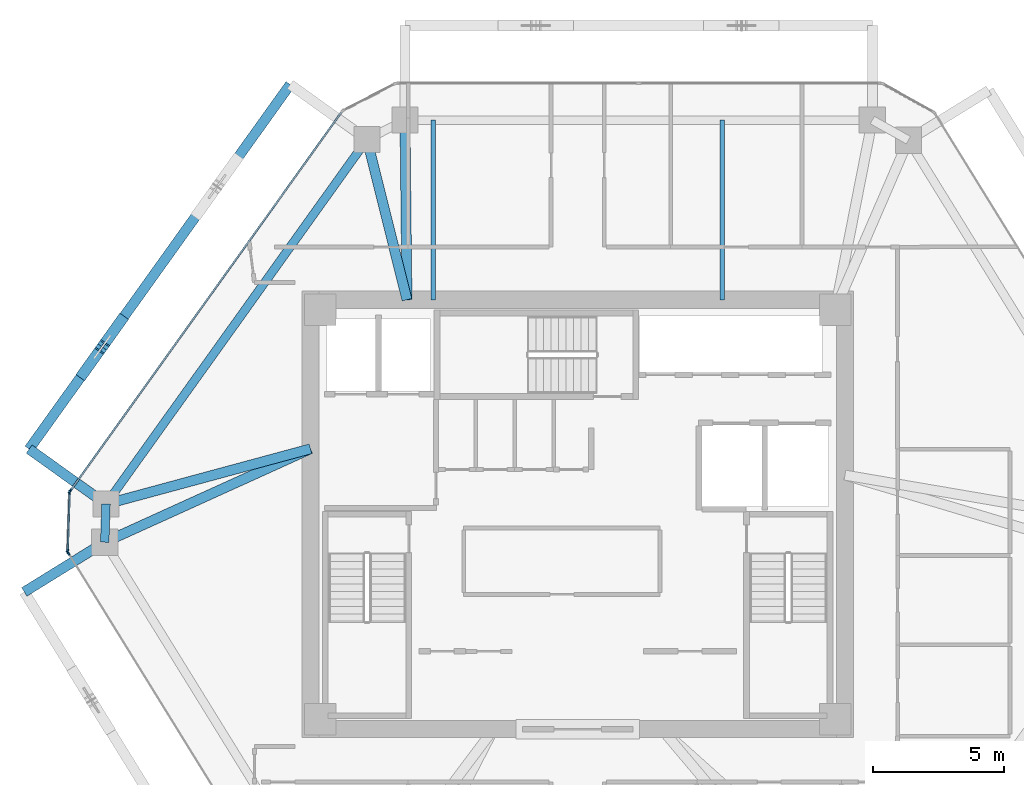
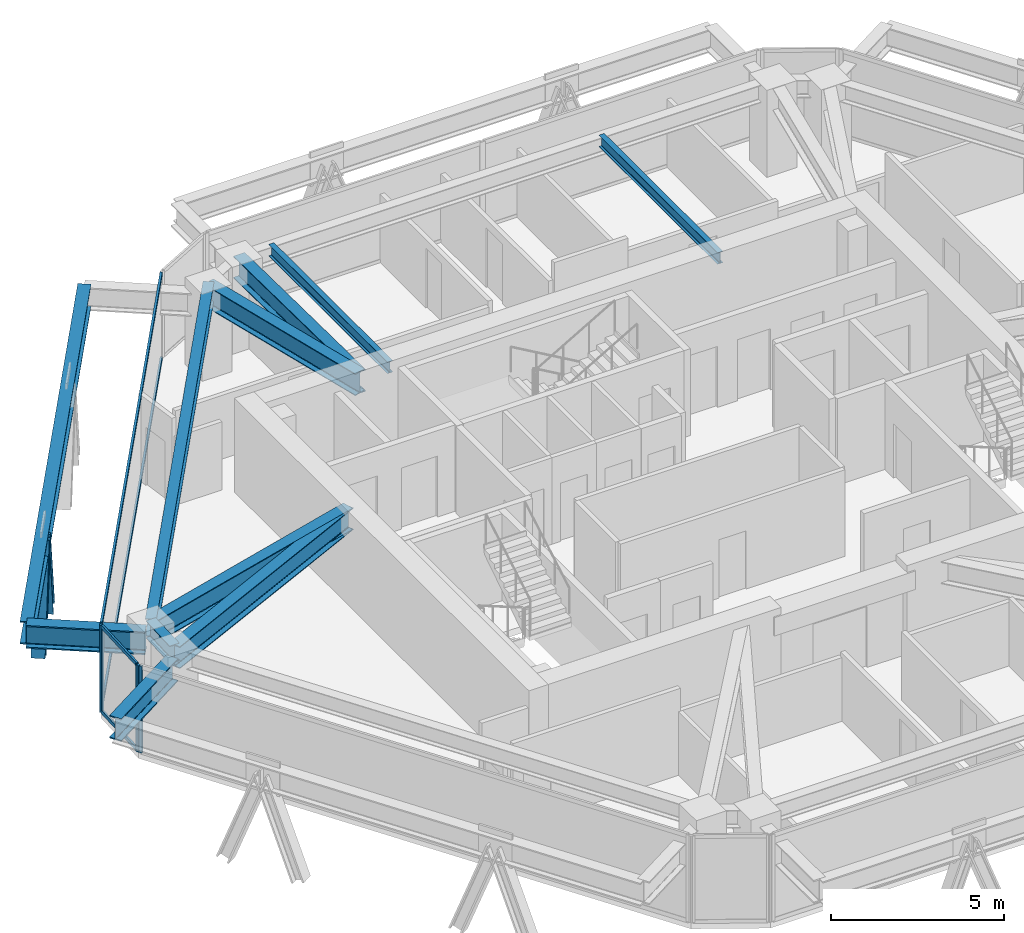
# One storey, part 4 of 14: 11 beams, 10 members, 3 elements without a shape of their own.
"""IFC4 building model written with IfcOpenShell, lengths in metres."""

from ifc_helpers import new_model, si_unit, direction, frame, origin, origin_2d, place, context, subcontext, project, spatial, rectangle, i_section, extrude, source, transform, mapped, material, layer, layer_set, material_profile, profile_set, type_object, type_shapes, element, aggregate, save


model = new_model("IFC4")

# Units and contexts
model_context = context("Model", 3, precision=1e-05, world=origin(), true_north=direction((0.0, 1.0)))
body_context = subcontext(model_context, "Body", "Model", "MODEL_VIEW")
ifc_project = project(units=[si_unit("LENGTHUNIT", "METRE"), si_unit("AREAUNIT", "SQUARE_METRE"), si_unit("VOLUMEUNIT", "CUBIC_METRE"), si_unit("PLANEANGLEUNIT", "RADIAN"), si_unit("MASSUNIT", "GRAM", prefix="KILO")], contexts=[model_context])

# Site, building, storey
site_placement = place(None, origin())
site = spatial("IfcSite", under=ifc_project, at=site_placement, CompositionType="ELEMENT")
building_placement = place(site_placement, origin())
building = spatial("IfcBuilding", under=site, at=building_placement, Name="Durnholm Broadcast Tower", CompositionType="ELEMENT")
storey_placement = place(building_placement, frame((0.0, 0.0, 180.39990234375)))
storey = spatial("IfcBuildingStorey", under=building, at=storey_placement, Name="L49", CompositionType="ELEMENT", Elevation=180.39990234375)

# Beams
ifc_material_1 = material(Name="Steel ASTM A992 Grade 50", Category="steel")
ifc_material_profile_1 = material_profile(ifc_material_1, i_section(OverallWidth=0.385009765625, OverallDepth=0.802978515625, WebThickness=0.023681640625, FlangeThickness=0.0419921875, FilletRadius=0.032958984375, at=origin_2d()), Name="W30X261")
ifc_profile_set_1 = profile_set([ifc_material_profile_1], Name="Steel ASTM A992 Grade 50")
beam_type_1 = type_object("IfcBeamType", Name="BM-EXO-TIE", PredefinedType="USERDEFINED", material=ifc_profile_set_1)
shared_shape_1 = source(origin(), body_context, "Body", "SweptSolid", [
    extrude(i_section(OverallWidth=0.385009765625, OverallDepth=0.802978515625, WebThickness=0.023681640625, FlangeThickness=0.0419921875, FilletRadius=0.032958984375, at=origin_2d()), origin(), (0.0, 0.0, 1.0), 3.4560546875),
])
beam_1_placement = place(storey_placement, frame((-18.131591796875, -1.13232421875, 2.30859375), z_axis=(-0.850662348375, -0.525712439512, 0.0), x_axis=(0.525712439512, -0.850662348375, 0.0)))
element("IfcBeam", 1, at=beam_1_placement, inside=storey, type_object=beam_type_1, Name="L49 exoskeleton stand-off tie bracket F6.1", ObjectType="GIRDER", PredefinedType="USERDEFINED", context=body_context, shape_type="MappedRepresentation", body=[
    mapped(shared_shape_1, transform((0.0, 0.0, 0.0), x_axis=(1.0, 0.0, 0.0), y_axis=(0.0, 1.0, 0.0), z_axis=(0.0, 0.0, 1.0), scale=1.0)),
])
shared_shape_2 = source(origin(), body_context, "Body", "SweptSolid", [
    extrude(i_section(OverallWidth=0.385009765625, OverallDepth=0.802978515625, WebThickness=0.023681640625, FlangeThickness=0.0419921875, FilletRadius=0.032958984375, at=origin_2d()), origin(), (0.0, 0.0, 1.0), 3.455810546875),
])
beam_2_placement = place(storey_placement, frame((-18.076904296875, 0.4794921875, 2.30859375), z_axis=(-0.813112485828, 0.582106592808, 0.0), x_axis=(-0.582106592808, -0.813112485828, 0.0)))
element("IfcBeam", 2, at=beam_2_placement, inside=storey, type_object=beam_type_1, Name="L49 exoskeleton stand-off tie bracket F5.2", ObjectType="GIRDER", PredefinedType="USERDEFINED", context=body_context, shape_type="MappedRepresentation", body=[
    mapped(shared_shape_2, transform((0.0, 0.0, 0.0), x_axis=(1.0, 0.0, 0.0), y_axis=(0.0, 1.0, 0.0), z_axis=(0.0, 0.0, 1.0), scale=1.0)),
])
ifc_material_profile_2 = material_profile(ifc_material_1, i_section(OverallWidth=0.3251953125, OverallDepth=0.6162109375, WebThickness=0.013916015625, FlangeThickness=0.021484375, FilletRadius=0.02783203125, at=origin_2d()), Name="W24X117")
ifc_profile_set_2 = profile_set([ifc_material_profile_2], Name="Steel ASTM A992 Grade 50")
beam_type_2 = type_object("IfcBeamType", Name="STL-SP-W24X117", PredefinedType="SPANDREL", material=ifc_profile_set_2)
shared_shape_3 = source(origin(), body_context, "Body", "SweptSolid", [
    extrude(i_section(OverallWidth=0.3251953125, OverallDepth=0.6162109375, WebThickness=0.013916015625, FlangeThickness=0.021484375, FilletRadius=0.02783203125, at=origin_2d()), origin(), (0.0, 0.0, 1.0), 1.452880859375),
])
beam_3_placement = place(storey_placement, frame((-18.009033203125, -1.056640625, 2.737060546875), z_axis=(0.03377359304, 0.999429509477, 0.0), x_axis=(-0.999429509477, 0.03377359304, 0.0)))
element("IfcBeam", 3, at=beam_3_placement, inside=storey, type_object=beam_type_2, Name="L49 perimeter spandrel girder 02", PredefinedType="SPANDREL", context=body_context, shape_type="MappedRepresentation", body=[
    mapped(shared_shape_3, transform((0.0, 0.0, 0.0), x_axis=(1.0, 0.0, 0.0), y_axis=(0.0, 1.0, 0.0), z_axis=(0.0, 0.0, 1.0), scale=1.0)),
])
shared_shape_4 = source(origin(), body_context, "Body", "SweptSolid", [
    extrude(i_section(OverallWidth=0.3251953125, OverallDepth=0.6162109375, WebThickness=0.013916015625, FlangeThickness=0.021484375, FilletRadius=0.02783203125, at=origin_2d()), origin(), (0.0, 0.0, 1.0), 17.07177734375),
])
type_shapes(beam_type_2, [shared_shape_3, shared_shape_4])
beam_4_placement = place(storey_placement, frame((-17.9599609375, 0.3955078125, 2.737060546875), z_axis=(0.582142843258, 0.813086532937, 0.0), x_axis=(-0.813086532937, 0.582142843258, 0.0)))
element("IfcBeam", 4, at=beam_4_placement, inside=storey, type_object=beam_type_2, Name="L49 perimeter spandrel girder 03", PredefinedType="SPANDREL", context=body_context, shape_type="MappedRepresentation", body=[
    mapped(shared_shape_4, transform((0.0, 0.0, 0.0), x_axis=(1.0, 0.0, 0.0), y_axis=(0.0, 1.0, 0.0), z_axis=(0.0, 0.0, 1.0), scale=1.0)),
])
shared_shape_5 = source(origin(), body_context, "Body", "SweptSolid", [
    extrude(i_section(OverallWidth=0.385009765625, OverallDepth=0.802978515625, WebThickness=0.023681640625, FlangeThickness=0.0419921875, FilletRadius=0.032958984375, at=origin_2d()), origin(), (0.0, 0.0, 1.0), 17.07177734375),
])
type_shapes(beam_type_1, [shared_shape_1, shared_shape_2, shared_shape_5])
beam_5_placement = place(storey_placement, frame((-10.948974609375, 16.3720703125, 2.30859375), z_axis=(-0.582133388739, -0.813093301974, 0.0), x_axis=(0.813093301974, -0.582133388739, 0.0)))
element("IfcBeam", 5, at=beam_5_placement, inside=storey, type_object=beam_type_1, Name="L49 exoskeleton collector spandrel F5", PredefinedType="SPANDREL", context=body_context, shape_type="MappedRepresentation", body=[
    mapped(shared_shape_5, transform((0.0, 0.0, 0.0), x_axis=(1.0, 0.0, 0.0), y_axis=(0.0, 1.0, 0.0), z_axis=(0.0, 0.0, 1.0), scale=1.0)),
])
ifc_material_profile_3 = material_profile(ifc_material_1, i_section(OverallWidth=0.380615234375, OverallDepth=0.773193359375, WebThickness=0.0166015625, FlangeThickness=0.027099609375, FilletRadius=0.032958984375, at=origin_2d()), Name="W30X173")
ifc_profile_set_3 = profile_set([ifc_material_profile_3], Name="Steel ASTM A992 Grade 50")
beam_type_3 = type_object("IfcBeamType", Name="STL-GR-W30X173", PredefinedType="USERDEFINED", material=ifc_profile_set_3)
shared_shape_6 = source(origin(), body_context, "Body", "SweptSolid", [
    extrude(i_section(OverallWidth=0.380615234375, OverallDepth=0.773193359375, WebThickness=0.0166015625, FlangeThickness=0.027099609375, FilletRadius=0.032958984375, at=origin_2d()), origin(), (0.0, 0.0, 1.0), 8.603515625),
])
beam_6_placement = place(storey_placement, frame((-10.175048828125, 2.5, 2.658447265625), z_axis=(-0.910552971728, -0.413392411248, 0.0), x_axis=(0.413392411248, -0.910552971728, 0.0)))
element("IfcBeam", 6, at=beam_6_placement, inside=storey, type_object=beam_type_3, Name="L49 radial primary floor girder 02", ObjectType="GIRDER", PredefinedType="USERDEFINED", context=body_context, shape_type="MappedRepresentation", body=[
    mapped(shared_shape_6, transform((0.0, 0.0, 0.0), x_axis=(1.0, 0.0, 0.0), y_axis=(0.0, 1.0, 0.0), z_axis=(0.0, 0.0, 1.0), scale=1.0)),
])
shared_shape_7 = source(origin(), body_context, "Body", "SweptSolid", [
    extrude(i_section(OverallWidth=0.380615234375, OverallDepth=0.773193359375, WebThickness=0.0166015625, FlangeThickness=0.027099609375, FilletRadius=0.032958984375, at=origin_2d()), origin(), (0.0, 0.0, 1.0), 8.064453125),
])
beam_7_placement = place(storey_placement, frame((-10.175048828125, 2.5, 2.658447265625), z_axis=(-0.96534896552, -0.260962401066, 0.0), x_axis=(0.260962401066, -0.96534896552, 0.0)))
element("IfcBeam", 7, at=beam_7_placement, inside=storey, type_object=beam_type_3, Name="L49 radial primary floor girder 03", ObjectType="GIRDER", PredefinedType="USERDEFINED", context=body_context, shape_type="MappedRepresentation", body=[
    mapped(shared_shape_7, transform((0.0, 0.0, 0.0), x_axis=(1.0, 0.0, 0.0), y_axis=(0.0, 1.0, 0.0), z_axis=(0.0, 0.0, 1.0), scale=1.0)),
])
shared_shape_8 = source(origin(), body_context, "Body", "SweptSolid", [
    extrude(i_section(OverallWidth=0.380615234375, OverallDepth=0.773193359375, WebThickness=0.0166015625, FlangeThickness=0.027099609375, FilletRadius=0.032958984375, at=origin_2d()), origin(), (0.0, 0.0, 1.0), 6.288330078125),
])
beam_8_placement = place(storey_placement, frame((-6.5, 8.175048828125, 2.658447265625), z_axis=(-0.241996604408, 0.970277096223, 0.0), x_axis=(-0.970277096223, -0.241996604408, 0.0)))
element("IfcBeam", 8, at=beam_8_placement, inside=storey, type_object=beam_type_3, Name="L49 radial primary floor girder 04", ObjectType="GIRDER", PredefinedType="USERDEFINED", context=body_context, shape_type="MappedRepresentation", body=[
    mapped(shared_shape_8, transform((0.0, 0.0, 0.0), x_axis=(1.0, 0.0, 0.0), y_axis=(0.0, 1.0, 0.0), z_axis=(0.0, 0.0, 1.0), scale=1.0)),
])
shared_shape_9 = source(origin(), body_context, "Body", "SweptSolid", [
    extrude(i_section(OverallWidth=0.380615234375, OverallDepth=0.773193359375, WebThickness=0.0166015625, FlangeThickness=0.027099609375, FilletRadius=0.032958984375, at=origin_2d()), origin(), (0.0, 0.0, 1.0), 6.843505859375),
])
type_shapes(beam_type_3, [shared_shape_6, shared_shape_7, shared_shape_8, shared_shape_9])
beam_9_placement = place(storey_placement, frame((-6.5, 8.175048828125, 2.658447265625), z_axis=(-0.011487343604, 0.999934018292, 0.0), x_axis=(-0.999934018292, -0.011487343604, 0.0)))
element("IfcBeam", 9, at=beam_9_placement, inside=storey, type_object=beam_type_3, Name="L49 radial primary floor girder 05", ObjectType="GIRDER", PredefinedType="USERDEFINED", context=body_context, shape_type="MappedRepresentation", body=[
    mapped(shared_shape_9, transform((0.0, 0.0, 0.0), x_axis=(1.0, 0.0, 0.0), y_axis=(0.0, 1.0, 0.0), z_axis=(0.0, 0.0, 1.0), scale=1.0)),
])
ifc_material_profile_4 = material_profile(ifc_material_1, i_section(OverallWidth=0.177734375, OverallDepth=0.40673828125, WebThickness=0.0078125, FlangeThickness=0.0126953125, FilletRadius=0.01904296875, at=origin_2d()), Name="W16X40")
ifc_profile_set_4 = profile_set([ifc_material_profile_4], Name="Steel ASTM A992 Grade 50")
beam_type_4 = type_object("IfcBeamType", Name="STL-BJ-W16X40", PredefinedType="JOIST", material=ifc_profile_set_4)
shared_shape_10 = source(origin(), body_context, "Body", "SweptSolid", [
    extrude(i_section(OverallWidth=0.177734375, OverallDepth=0.40673828125, WebThickness=0.0078125, FlangeThickness=0.0126953125, FilletRadius=0.01904296875, at=origin_2d()), origin(), (0.0, 0.0, 1.0), 6.843017578125),
])
type_shapes(beam_type_4, [shared_shape_10])
for number, where, z_axis, x_axis, name in (
    (10, (-5.5, 8.175048828125, 2.841796875), (0.0, 1.0, 0.0), (-1.0, 0.0, 0.0), "L49 secondary floor joist 3.2"),
    (11, (5.5, 8.175048828125, 2.841796875), (0.0, 1.0, 0.0), (-1.0, 0.0, 0.0), "L49 secondary floor joist 4.2"),
):
    element("IfcBeam", number, at=place(storey_placement, frame(where, z_axis=z_axis, x_axis=x_axis)), inside=storey, type_object=beam_type_4, Name=name, PredefinedType="JOIST", context=body_context, shape_type="MappedRepresentation", body=[
        mapped(shared_shape_10, transform((0.0, 0.0, 0.0), x_axis=(1.0, 0.0, 0.0), y_axis=(0.0, 1.0, 0.0), z_axis=(0.0, 0.0, 1.0), scale=1.0)),
    ])

# Members
ifc_material_2 = material(Name="Steel ASTM A913 Grade 65", Category="steel")
ifc_material_profile_5 = material_profile(ifc_material_2, i_section(OverallWidth=0.412109375, OverallDepth=0.434814453125, WebThickness=0.035888671875, FlangeThickness=0.057373046875, FilletRadius=0.030517578125, at=origin_2d()), Name="W14X311")
ifc_profile_set_5 = profile_set([ifc_material_profile_5], Name="Steel ASTM A913 Grade 65")
member_type_1 = type_object("IfcMemberType", Name="STL-DG-W14X311", PredefinedType="BRACE", material=ifc_profile_set_5)
shared_shape_11 = source(origin(), body_context, "Body", "SweptSolid", [
    extrude(i_section(OverallWidth=0.412109375, OverallDepth=0.434814453125, WebThickness=0.035888671875, FlangeThickness=0.057373046875, FilletRadius=0.030517578125, at=origin_2d()), origin(), (0.0, 0.0, 1.0), 3.523193359375),
])
type_shapes(member_type_1, [shared_shape_11])
for number, where, z_axis, x_axis, name in (
    (12, (-17.38623046875, 7.381103515625, -0.991455078125), (-0.203869234398, -0.284737826017, 0.936675880815), (0.813077820009, -0.582155012526, 0.0), "L49 stand-off diagrid brace F5.D2.1"),
    (13, (-18.822509765625, 5.374755859375, -0.991455078125), (0.203802816986, 0.284741848009, 0.936689111595), (-0.813171482985, 0.58202417412, 0.0), "L49 stand-off diagrid brace F5.D2.2"),
):
    element("IfcMember", number, at=place(storey_placement, frame(where, z_axis=z_axis, x_axis=x_axis)), inside=storey, type_object=member_type_1, Name=name, PredefinedType="BRACE", context=body_context, shape_type="MappedRepresentation", body=[
        mapped(shared_shape_11, transform((0.0, 0.0, 0.0), x_axis=(1.0, 0.0, 0.0), y_axis=(0.0, 1.0, 0.0), z_axis=(0.0, 0.0, 1.0), scale=1.0)),
    ])

# Curtain wall, members
ifc_material_3 = material(Name="Aluminium and Solar Control IGU", Category="aluminium")
ifc_layer_1 = layer(ifc_material_3, 0.1650390625)
ifc_layer_set_1 = layer_set([ifc_layer_1], Name="Aluminium and Solar Control IGU")
curtain_wall_type_1 = type_object("IfcCurtainWallType", Name="CW-SYS-5", PredefinedType="NOTDEFINED", material=ifc_layer_set_1)
curtain_wall_1_placement = place(storey_placement, origin())
curtain_wall_1 = element("IfcCurtainWall", 14, at=curtain_wall_1_placement, inside=storey, type_object=curtain_wall_type_1, Name="L49 curtain wall CW-CORNER CW-L49-CRN-01", PredefinedType="NOTDEFINED")
ifc_material_4 = material(Name="Aluminium 6063-T6", Category="aluminium")
ifc_material_profile_6 = material_profile(ifc_material_4, rectangle(XDim=0.06494140625, YDim=0.1650390625, at=origin_2d()), Name="CWM65X165")
ifc_profile_set_6 = profile_set([ifc_material_profile_6], Name="Aluminium 6063-T6")
member_type_2 = type_object("IfcMemberType", Name="CW-SYS-5-MUL", PredefinedType="MULLION", material=ifc_profile_set_6)
shared_shape_12 = source(origin(), body_context, "Body", "SweptSolid", [
    extrude(rectangle(XDim=0.06494140625, YDim=0.1650390625, at=origin_2d()), origin(), (0.0, 0.0, 1.0), 3.06005859375),
])
type_shapes(member_type_2, [shared_shape_12])
member_1_placement = place(storey_placement, frame((-19.421630859375, -1.39990234375, 0.0), z_axis=(0.0, 0.0, 1.0), x_axis=(-0.999424798802, 0.033912704699, 0.0)))
member_1 = element("IfcMember", 15, at=member_1_placement, type_object=member_type_2, Name="CW-CORNER mullion 1", PredefinedType="MULLION", context=body_context, shape_type="MappedRepresentation", body=[
    mapped(shared_shape_12, transform((0.0, 0.0, 0.0), x_axis=(1.0, 0.0, 0.0), y_axis=(0.0, 1.0, 0.0), z_axis=(0.0, 0.0, 1.0), scale=1.0)),
])
member_2_placement = place(storey_placement, frame((-19.345703125, 0.833740234375, 0.0), z_axis=(0.0, 0.0, 1.0), x_axis=(-0.999424798802, 0.033912704699, 0.0)))
member_2 = element("IfcMember", 16, at=member_2_placement, type_object=member_type_2, Name="CW-CORNER mullion 2", PredefinedType="MULLION", context=body_context, shape_type="MappedRepresentation", body=[
    mapped(shared_shape_12, transform((0.0, 0.0, 0.0), x_axis=(1.0, 0.0, 0.0), y_axis=(0.0, 1.0, 0.0), z_axis=(0.0, 0.0, 1.0), scale=1.0)),
])
ifc_material_profile_7 = material_profile(ifc_material_4, rectangle(XDim=0.06494140625, YDim=0.1298828125, at=origin_2d()), Name="CWT65X130")
ifc_profile_set_7 = profile_set([ifc_material_profile_7], Name="Aluminium 6063-T6")
member_type_3 = type_object("IfcMemberType", Name="CW-SYS-5-TRN", PredefinedType="USERDEFINED", material=ifc_profile_set_7)
shared_shape_13 = source(origin(), body_context, "Body", "SweptSolid", [
    extrude(rectangle(XDim=0.06494140625, YDim=0.1298828125, at=origin_2d()), origin(), (0.0, 0.0, 1.0), 2.169921875),
])
type_shapes(member_type_3, [shared_shape_13])
member_3_placement = place(storey_placement, frame((-19.42041015625, -1.367431640625, 0.03271484375), z_axis=(0.033865512339, 0.999426399028, 0.0), x_axis=(-0.999426399028, 0.033865512339, 0.0)))
member_3 = element("IfcMember", 17, at=member_3_placement, type_object=member_type_3, Name="CW-CORNER transom 1.1", ObjectType="TRANSOM", PredefinedType="USERDEFINED", context=body_context, shape_type="MappedRepresentation", body=[
    mapped(shared_shape_13, transform((0.0, 0.0, 0.0), x_axis=(1.0, 0.0, 0.0), y_axis=(0.0, 1.0, 0.0), z_axis=(0.0, 0.0, 1.0), scale=1.0)),
])
member_4_placement = place(storey_placement, frame((-19.42041015625, -1.367431640625, 3.027587890625), z_axis=(0.033865512339, 0.999426399028, 0.0), x_axis=(-0.999426399028, 0.033865512339, 0.0)))
member_4 = element("IfcMember", 18, at=member_4_placement, type_object=member_type_3, Name="CW-CORNER transom 1.2", ObjectType="TRANSOM", PredefinedType="USERDEFINED", context=body_context, shape_type="MappedRepresentation", body=[
    mapped(shared_shape_13, transform((0.0, 0.0, 0.0), x_axis=(1.0, 0.0, 0.0), y_axis=(0.0, 1.0, 0.0), z_axis=(0.0, 0.0, 1.0), scale=1.0)),
])
aggregate(curtain_wall_1, [member_1, member_2, member_3, member_4])

ifc_layer_2 = layer(ifc_material_3, 0.18994140625)
ifc_layer_set_2 = layer_set([ifc_layer_2], Name="Aluminium and Solar Control IGU")
curtain_wall_type_2 = type_object("IfcCurtainWallType", Name="CW-SYS-4", PredefinedType="NOTDEFINED", material=ifc_layer_set_2)
curtain_wall_2_placement = place(storey_placement, origin())
curtain_wall_2 = element("IfcCurtainWall", 19, at=curtain_wall_2_placement, inside=storey, type_object=curtain_wall_type_2, Name="L49 curtain wall CW-Z34-VIS CW-L49-F02", PredefinedType="NOTDEFINED")
ifc_material_profile_8 = material_profile(ifc_material_4, rectangle(XDim=0.070068359375, YDim=0.14990234375, at=origin_2d()), Name="CWT70X150")
ifc_profile_set_8 = profile_set([ifc_material_profile_8], Name="Aluminium 6063-T6")
member_type_4 = type_object("IfcMemberType", Name="CW-SYS-4-TRN", PredefinedType="USERDEFINED", material=ifc_profile_set_8)
shared_shape_14 = source(origin(), body_context, "Body", "SweptSolid", [
    extrude(rectangle(XDim=0.070068359375, YDim=0.14990234375, at=origin_2d()), origin(), (0.0, 0.0, 1.0), 17.69384765625),
])
type_shapes(member_type_4, [shared_shape_14])
member_5_placement = place(storey_placement, frame((-19.303955078125, 0.923095703125, 0.03515625), z_axis=(0.582138438195, 0.813089686797, 0.0), x_axis=(-0.813089686797, 0.582138438195, 0.0)))
member_5 = element("IfcMember", 20, at=member_5_placement, type_object=member_type_4, Name="CW-Z34-VIS transom 1.1", ObjectType="TRANSOM", PredefinedType="USERDEFINED", context=body_context, shape_type="MappedRepresentation", body=[
    mapped(shared_shape_14, transform((0.0, 0.0, 0.0), x_axis=(1.0, 0.0, 0.0), y_axis=(0.0, 1.0, 0.0), z_axis=(0.0, 0.0, 1.0), scale=1.0)),
])
member_6_placement = place(storey_placement, frame((-19.303955078125, 0.923095703125, 3.025146484375), z_axis=(0.582138438195, 0.813089686797, 0.0), x_axis=(-0.813089686797, 0.582138438195, 0.0)))
member_6 = element("IfcMember", 21, at=member_6_placement, type_object=member_type_4, Name="CW-Z34-VIS transom 1.2", ObjectType="TRANSOM", PredefinedType="USERDEFINED", context=body_context, shape_type="MappedRepresentation", body=[
    mapped(shared_shape_14, transform((0.0, 0.0, 0.0), x_axis=(1.0, 0.0, 0.0), y_axis=(0.0, 1.0, 0.0), z_axis=(0.0, 0.0, 1.0), scale=1.0)),
])
ifc_material_profile_9 = material_profile(ifc_material_4, rectangle(XDim=0.070068359375, YDim=0.18994140625, at=origin_2d()), Name="CWM70X190")
ifc_profile_set_9 = profile_set([ifc_material_profile_9], Name="Aluminium 6063-T6")
member_type_5 = type_object("IfcMemberType", Name="CW-SYS-4-MUL", PredefinedType="MULLION", material=ifc_profile_set_9)
shared_shape_15 = source(origin(), body_context, "Body", "SweptSolid", [
    extrude(rectangle(XDim=0.070068359375, YDim=0.18994140625, at=origin_2d()), origin(), (0.0, 0.0, 1.0), 3.06005859375),
])
type_shapes(member_type_5, [shared_shape_15])
member_7_placement = place(storey_placement, frame((-19.32421875, 0.894775390625, 0.0), z_axis=(0.0, 0.0, 1.0), x_axis=(-0.813089262696, 0.582139030549, 0.0)))
member_7 = element("IfcMember", 22, at=member_7_placement, type_object=member_type_5, Name="CW-Z34-VIS mullion 1", PredefinedType="MULLION", context=body_context, shape_type="MappedRepresentation", body=[
    mapped(shared_shape_15, transform((0.0, 0.0, 0.0), x_axis=(1.0, 0.0, 0.0), y_axis=(0.0, 1.0, 0.0), z_axis=(0.0, 0.0, 1.0), scale=1.0)),
])
aggregate(curtain_wall_2, [member_7, member_5, member_6])

# Curtain wall, member
curtain_wall_3_placement = place(storey_placement, origin())
curtain_wall_3 = element("IfcCurtainWall", 23, at=curtain_wall_3_placement, inside=storey, type_object=curtain_wall_type_2, Name="L49 curtain wall CW-Z34-VIS CW-L49-F12", PredefinedType="NOTDEFINED")
member_8_placement = place(storey_placement, frame((-19.404296875, -1.462158203125, 0.0), z_axis=(0.0, 0.0, 1.0), x_axis=(-0.850671426092, -0.525697750452, 0.0)))
member_8 = element("IfcMember", 24, at=member_8_placement, type_object=member_type_5, Name="CW-Z34-VIS mullion 2", PredefinedType="MULLION", context=body_context, shape_type="MappedRepresentation", body=[
    mapped(shared_shape_15, transform((0.0, 0.0, 0.0), x_axis=(1.0, 0.0, 0.0), y_axis=(0.0, 1.0, 0.0), z_axis=(0.0, 0.0, 1.0), scale=1.0)),
])
aggregate(curtain_wall_3, [member_8])

save(model, "model.ifc")
